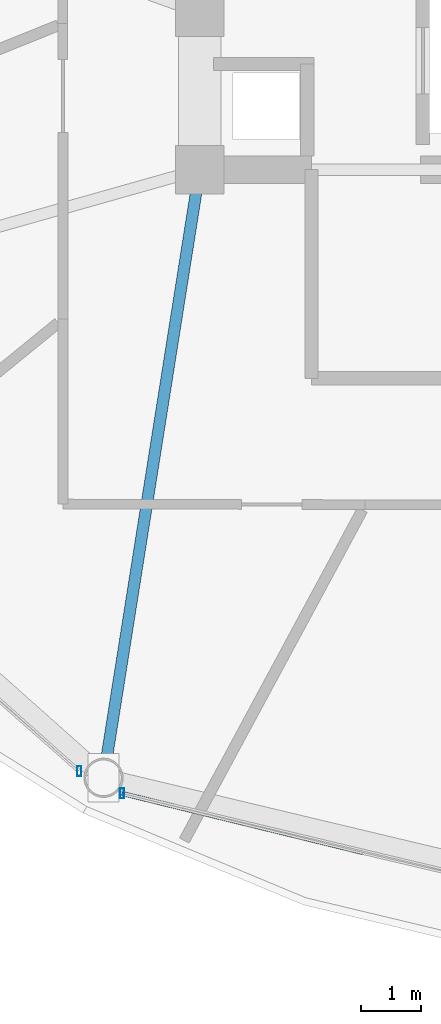
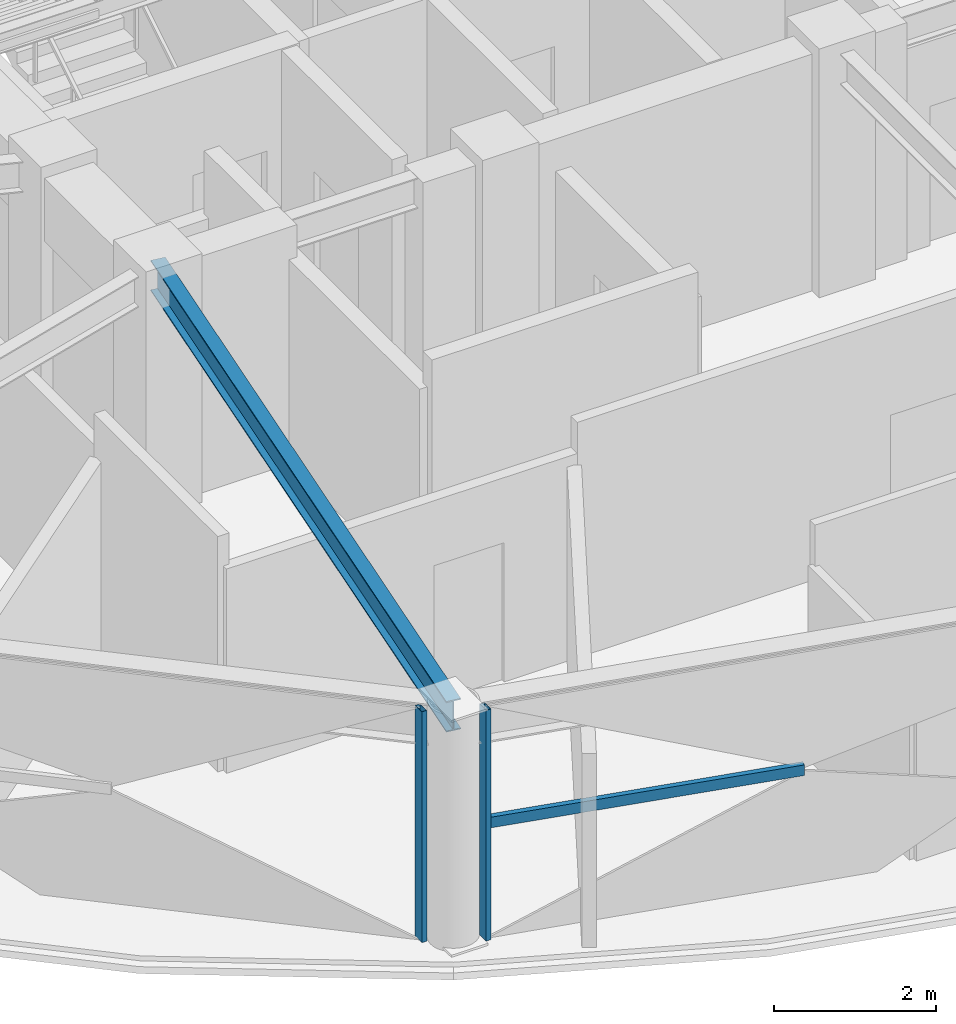
# One storey, part 2 of 30: 3 members, 1 beam, 2 elements without a shape of their own.
"""IFC4 building model written with IfcOpenShell, lengths in metres."""

from ifc_helpers import new_model, si_unit, direction, frame, origin, origin_2d, place, context, subcontext, project, spatial, hollow_rectangle, i_section, extrude, material, layer, layer_set, material_profile, profile_set, type_object, element, aggregate, save


model = new_model("IFC4")

# Units and contexts
model_context = context("Model", 3, precision=1e-05, world=origin(), true_north=direction((0.0, 1.0)))
body_context = subcontext(model_context, "Body", "Model", "MODEL_VIEW")
ifc_project = project(units=[si_unit("LENGTHUNIT", "METRE"), si_unit("AREAUNIT", "SQUARE_METRE"), si_unit("VOLUMEUNIT", "CUBIC_METRE"), si_unit("PLANEANGLEUNIT", "RADIAN"), si_unit("MASSUNIT", "GRAM", prefix="KILO")], contexts=[model_context])

# Site, building, storey
site_placement = place(None, origin())
site = spatial("IfcSite", under=ifc_project, at=site_placement, CompositionType="ELEMENT")
building_placement = place(site_placement, origin())
building = spatial("IfcBuilding", under=site, at=building_placement, Name="Vantalir Tower", CompositionType="ELEMENT")
storey_placement = place(building_placement, frame((0.0, 0.0, 201.14990234375)))
storey = spatial("IfcBuildingStorey", under=building, at=storey_placement, Name="L50", CompositionType="ELEMENT", Elevation=201.14990234375)

# Beam
ifc_material_1 = material(Name="Steel S355", Category="steel")
ifc_material_profile_1 = material_profile(ifc_material_1, i_section(OverallWidth=0.19189453125, OverallDepth=0.462890625, WebThickness=0.010498046875, FlangeThickness=0.017578125, at=origin_2d()), Name="Steel S355")
ifc_profile_set_1 = profile_set([ifc_material_profile_1], Name="Steel S355")
beam_type = type_object("IfcBeamType", Name="BM-RB-457x191", PredefinedType="BEAM", material=ifc_profile_set_1)
beam_placement = place(storey_placement, frame((20.30908203125, 7.743896484375, 3.338134765625), z_axis=(0.156250710225, 0.987717426977, 0.0), x_axis=(-0.987717426977, 0.156250710225, 0.0)))
element("IfcBeam", 1, at=beam_placement, inside=storey, type_object=beam_type, Name="L50 Radial Floor Beam 09", PredefinedType="BEAM", context=body_context, shape_type="SweptSolid", body=[
    extrude(i_section(OverallWidth=0.19189453125, OverallDepth=0.462890625, WebThickness=0.010498046875, FlangeThickness=0.017578125, at=origin_2d()), origin(), (0.0, 0.0, 1.0), 10.18115234375),
])

# Curtain wall, member
ifc_material_2 = material(Name="Champagne-silver PVDF aluminium and double-silver Low-E glass", Category="aluminium")
ifc_layer = layer(ifc_material_2, 0.2099609375)
ifc_layer_set = layer_set([ifc_layer], Name="Champagne-silver PVDF aluminium and double-silver Low-E glass")
curtain_wall_type = type_object("IfcCurtainWallType", Name="CW-DIAMOND-Z3", PredefinedType="USERDEFINED", material=ifc_layer_set)
curtain_wall_1_placement = place(storey_placement, origin())
curtain_wall_1 = element("IfcCurtainWall", 2, at=curtain_wall_1_placement, inside=storey, type_object=curtain_wall_type, Name="L50 Quilted Pyramid-Diamond Curtain Wall S08", ObjectType="UNITISED CURTAIN WALL", PredefinedType="USERDEFINED")
ifc_material_3 = material(Name="Champagne-silver PVDF aluminium 6063-T6", Category="aluminium")
ifc_material_profile_2 = material_profile(ifc_material_3, hollow_rectangle(XDim=0.070068359375, YDim=0.1650390625, WallThickness=0.00390625, at=origin_2d()), Name="Champagne-silver PVDF aluminium 6063-T6")
ifc_profile_set_2 = profile_set([ifc_material_profile_2], Name="Champagne-silver PVDF aluminium 6063-T6")
member_type_1 = type_object("IfcMemberType", Name="CWM-165x70", PredefinedType="MULLION", material=ifc_profile_set_2)
member_1_placement = place(storey_placement, frame((19.907958984375, 7.85302734375, 0.045166015625), z_axis=(0.0, 0.0, 1.0), x_axis=(1.0, 0.0, 0.0)))
member_1 = element("IfcMember", 3, at=member_1_placement, type_object=member_type_1, Name="CW-L50-S08 Mullion 2", PredefinedType="MULLION", context=body_context, shape_type="SweptSolid", body=[
    extrude(hollow_rectangle(XDim=0.070068359375, YDim=0.1650390625, WallThickness=0.00390625, at=origin_2d()), origin(), (0.0, 0.0, 1.0), 3.47998046875),
])
aggregate(curtain_wall_1, [member_1])

# Curtain wall, members
curtain_wall_2_placement = place(storey_placement, origin())
curtain_wall_2 = element("IfcCurtainWall", 4, at=curtain_wall_2_placement, inside=storey, type_object=curtain_wall_type, Name="L50 Quilted Pyramid-Diamond Curtain Wall S09", ObjectType="UNITISED CURTAIN WALL", PredefinedType="USERDEFINED")
member_2_placement = place(storey_placement, frame((20.613037109375, 7.485107421875, 0.045166015625), z_axis=(0.0, 0.0, 1.0), x_axis=(1.0, 0.0, 0.0)))
member_2 = element("IfcMember", 5, at=member_2_placement, type_object=member_type_1, Name="CW-L50-S09 Mullion 1", PredefinedType="MULLION", context=body_context, shape_type="SweptSolid", body=[
    extrude(hollow_rectangle(XDim=0.070068359375, YDim=0.1650390625, WallThickness=0.00390625, at=origin_2d()), origin(), (0.0, 0.0, 1.0), 3.47998046875),
])
ifc_material_profile_3 = material_profile(ifc_material_3, hollow_rectangle(XDim=0.074951171875, YDim=0.159912109375, WallThickness=0.00390625, at=origin_2d()), Name="Champagne-silver PVDF aluminium 6063-T6")
ifc_profile_set_3 = profile_set([ifc_material_profile_3], Name="Champagne-silver PVDF aluminium 6063-T6")
member_type_2 = type_object("IfcMemberType", Name="CWT-160x75", PredefinedType="USERDEFINED", material=ifc_profile_set_3)
member_3_placement = place(storey_placement, frame((20.613037109375, 7.485107421875, 1.78515625), z_axis=(0.971288876857, -0.237903168733, 0.0), x_axis=(0.237903168733, 0.971288876857, 0.0)))
member_3 = element("IfcMember", 6, at=member_3_placement, type_object=member_type_2, Name="CW-L50-S09 Pyramid Fold Ridge Transom", ObjectType="TRANSOM", PredefinedType="USERDEFINED", context=body_context, shape_type="SweptSolid", body=[
    extrude(hollow_rectangle(XDim=0.074951171875, YDim=0.159912109375, WallThickness=0.00390625, at=origin_2d()), origin(), (0.0, 0.0, 1.0), 4.0947265625),
])
aggregate(curtain_wall_2, [member_2, member_3])

save(model, "model.ifc")
